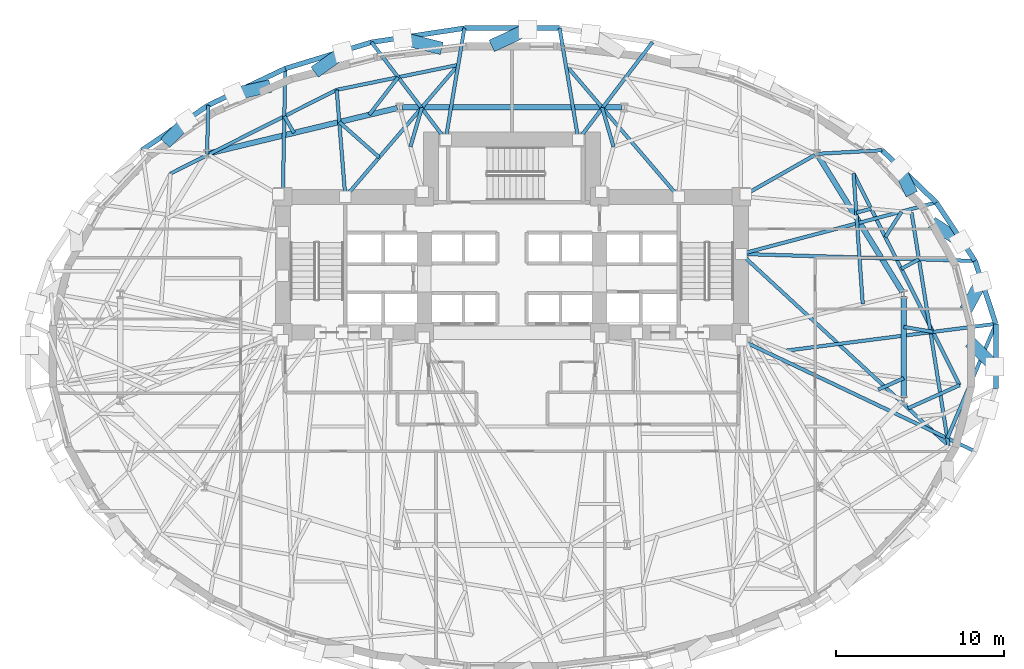
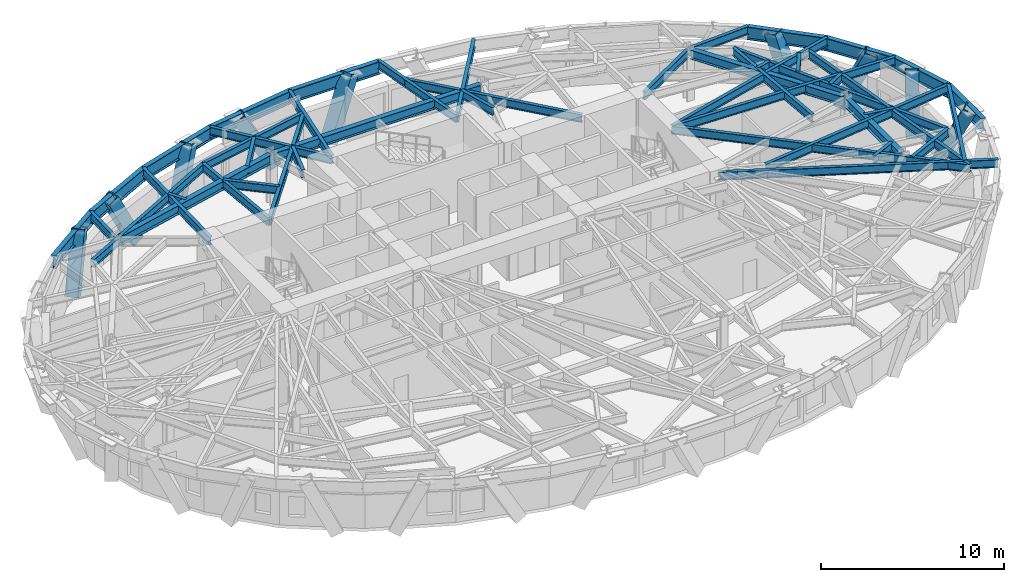
# One storey, part 4 of 14: 46 beams, 9 members.
"""IFC4 building model written with IfcOpenShell, lengths in metres."""

from ifc_helpers import new_model, si_unit, direction, frame, origin, origin_2d, place, context, subcontext, project, spatial, hollow_rectangle, i_section, extrude, material, material_profile, profile_set, type_object, element, save


model = new_model("IFC4")

# Units and contexts
model_context = context("Model", 3, precision=1e-05, world=origin(), true_north=direction((0.0, 1.0)))
body_context = subcontext(model_context, "Body", "Model", "MODEL_VIEW")
ifc_project = project(units=[si_unit("LENGTHUNIT", "METRE"), si_unit("AREAUNIT", "SQUARE_METRE"), si_unit("VOLUMEUNIT", "CUBIC_METRE"), si_unit("PLANEANGLEUNIT", "RADIAN"), si_unit("MASSUNIT", "GRAM", prefix="KILO")], contexts=[model_context])

# Site, building, storey
site_placement = place(None, origin())
site = spatial("IfcSite", under=ifc_project, at=site_placement, CompositionType="ELEMENT")
building_placement = place(site_placement, origin())
building = spatial("IfcBuilding", under=site, at=building_placement, Name="Keldmark Tower", CompositionType="ELEMENT")
storey_placement = place(building_placement, frame((0.0, 0.0, 52.199951171875)))
storey = spatial("IfcBuildingStorey", under=building, at=storey_placement, Name="L13", CompositionType="ELEMENT", Elevation=52.199951171875)

# Members
ifc_material_1 = material(Name="Steel ASTM A572 Grade 50", Category="steel")
ifc_material_profile_1 = material_profile(ifc_material_1, hollow_rectangle(XDim=0.75, YDim=0.75, WallThickness=0.06494140625, at=origin_2d()), Name="BOX750X750X65")
ifc_profile_set_1 = profile_set([ifc_material_profile_1], Name="Steel ASTM A572 Grade 50")
member_type = type_object("IfcMemberType", Name="Diagrid Lower Brace BOX750X750X65", PredefinedType="BRACE", material=ifc_profile_set_1)
member_1_placement = place(storey_placement, frame((27.096923828125, 3.034423828125, -0.280029296875), z_axis=(0.189536381637, 0.351789582634, 0.916689723727), x_axis=(-0.880354888645, 0.474315580641, 0.0)))
element("IfcMember", 1, at=member_1_placement, inside=storey, type_object=member_type, Name="L13 Perimeter Diagrid Brace 01A", PredefinedType="BRACE", context=body_context, shape_type="SweptSolid", body=[
    extrude(hollow_rectangle(XDim=0.75, YDim=0.75, WallThickness=0.06494140625, at=origin_2d()), origin(), (0.0, 0.0, 1.0), 3.883544921875),
])
member_2_placement = place(storey_placement, frame((25.1943359375, 7.742919921875, -0.280029296875), z_axis=(0.368803550198, -0.240101025584, 0.897961824843), x_axis=(0.545593185279, 0.838050163282, 0.0)))
element("IfcMember", 2, at=member_2_placement, inside=storey, type_object=member_type, Name="L13 Perimeter Diagrid Brace 01B", PredefinedType="BRACE", context=body_context, shape_type="SweptSolid", body=[
    extrude(hollow_rectangle(XDim=0.75, YDim=0.75, WallThickness=0.06494140625, at=origin_2d()), origin(), (0.0, 0.0, 1.0), 3.964599609375),
])
member_3_placement = place(storey_placement, frame((23.576904296875, 9.93115234375, -0.280029296875), z_axis=(-0.155865611228, 0.322105186721, 0.933784857408), x_axis=(-0.900150197783, -0.43557963845, 0.0)))
element("IfcMember", 3, at=member_3_placement, inside=storey, type_object=member_type, Name="L13 Perimeter Diagrid Brace 02A", PredefinedType="BRACE", context=body_context, shape_type="SweptSolid", body=[
    extrude(hollow_rectangle(XDim=0.75, YDim=0.75, WallThickness=0.06494140625, at=origin_2d()), origin(), (0.0, 0.0, 1.0), 3.8125),
])
member_4_placement = place(storey_placement, frame((-0.90771484375, 18.551513671875, -0.280029296875), z_axis=(0.449940168871, 0.208264827339, 0.868435147913), x_axis=(-0.420055790164, 0.907498282725, 0.0)))
element("IfcMember", 4, at=member_4_placement, inside=storey, type_object=member_type, Name="L13 Perimeter Diagrid Brace 04B", PredefinedType="BRACE", context=body_context, shape_type="SweptSolid", body=[
    extrude(hollow_rectangle(XDim=0.75, YDim=0.75, WallThickness=0.06494140625, at=origin_2d()), origin(), (0.0, 0.0, 1.0), 4.099365234375),
])
member_5_placement = place(storey_placement, frame((-4.48095703125, 18.342041015625, -0.280029296875), z_axis=(-0.488550098235, 0.122922451054, 0.863833822295), x_axis=(-0.244001779634, -0.969774783924, 0.0)))
element("IfcMember", 5, at=member_5_placement, inside=storey, type_object=member_type, Name="L13 Perimeter Diagrid Brace 05A", PredefinedType="BRACE", context=body_context, shape_type="SweptSolid", body=[
    extrude(hollow_rectangle(XDim=0.75, YDim=0.75, WallThickness=0.06494140625, at=origin_2d()), origin(), (0.0, 0.0, 1.0), 4.121337890625),
])
member_6_placement = place(storey_placement, frame((-11.43505859375, 17.053466796875, -0.280029296875), z_axis=(0.356080423896, 0.25235989148, 0.899733970066), x_axis=(-0.578225217347, 0.815877195431, 0.0)))
element("IfcMember", 6, at=member_6_placement, inside=storey, type_object=member_type, Name="L13 Perimeter Diagrid Brace 05B", PredefinedType="BRACE", context=body_context, shape_type="SweptSolid", body=[
    extrude(hollow_rectangle(XDim=0.75, YDim=0.75, WallThickness=0.06494140625, at=origin_2d()), origin(), (0.0, 0.0, 1.0), 3.956787109375),
])
member_7_placement = place(storey_placement, frame((-14.66943359375, 15.958984375, -0.280029296875), z_axis=(-0.450082978255, -0.09878088894, 0.88750642176), x_axis=(0.214370413449, -0.976752438358, 0.0)))
element("IfcMember", 7, at=member_7_placement, inside=storey, type_object=member_type, Name="L13 Perimeter Diagrid Brace 06A", PredefinedType="BRACE", context=body_context, shape_type="SweptSolid", body=[
    extrude(hollow_rectangle(XDim=0.75, YDim=0.75, WallThickness=0.06494140625, at=origin_2d()), origin(), (0.0, 0.0, 1.0), 4.01123046875),
])
member_8_placement = place(storey_placement, frame((-20.339111328125, 12.8837890625, -0.280029296875), z_axis=(0.269028595419, 0.277125388321, 0.92240182892), x_axis=(-0.717510872688, 0.696547304621, 0.0)))
element("IfcMember", 8, at=member_8_placement, inside=storey, type_object=member_type, Name="L13 Perimeter Diagrid Brace 06B", PredefinedType="BRACE", context=body_context, shape_type="SweptSolid", body=[
    extrude(hollow_rectangle(XDim=0.75, YDim=0.75, WallThickness=0.06494140625, at=origin_2d()), origin(), (0.0, 0.0, 1.0), 3.859619140625),
])
member_9_placement = place(storey_placement, frame((27.40625, 0.616943359375, -0.280029296875), z_axis=(0.313927773209, -0.314542113274, 0.895830682766), x_axis=(0.707797651997, 0.706415234708, 0.0)))
element("IfcMember", 9, at=member_9_placement, inside=storey, type_object=member_type, Name="L13 Perimeter Diagrid Brace 16B", PredefinedType="BRACE", context=body_context, shape_type="SweptSolid", body=[
    extrude(hollow_rectangle(XDim=0.75, YDim=0.75, WallThickness=0.06494140625, at=origin_2d()), origin(), (0.0, 0.0, 1.0), 3.97412109375),
])

# Beams
ifc_material_2 = material(Name="Steel ASTM A992 Grade 50", Category="steel")
ifc_material_profile_2 = material_profile(ifc_material_2, i_section(OverallWidth=0.323974609375, OverallDepth=0.611083984375, WebThickness=0.0126953125, FlangeThickness=0.01904296875, at=origin_2d()), Name="W24X104")
ifc_profile_set_2 = profile_set([ifc_material_profile_2], Name="Steel ASTM A992 Grade 50")
beam_type_1 = type_object("IfcBeamType", Name="Primary Floor Girder W24X104", PredefinedType="BEAM", material=ifc_profile_set_2)
beam_1_placement = place(storey_placement, frame((23.180419921875, 3.796142578125, 3.094482421875), z_axis=(-0.526318405849, 0.850287560573, 0.0), x_axis=(-0.850287560573, -0.526318405849, 0.0)))
element("IfcBeam", 10, at=beam_1_placement, inside=storey, type_object=beam_type_1, Name="L13 Floor Ring Girder FG-R01", PredefinedType="BEAM", context=body_context, shape_type="SweptSolid", body=[
    extrude(i_section(OverallWidth=0.323974609375, OverallDepth=0.611083984375, WebThickness=0.0126953125, FlangeThickness=0.01904296875, at=origin_2d()), origin(), (0.0, 0.0, 1.0), 9.51708984375),
])
beam_2_placement = place(storey_placement, frame((6.525146484375, 14.760009765625, 3.094482421875), z_axis=(-1.0, 0.0, 0.0), x_axis=(0.0, -1.0, 0.0)))
element("IfcBeam", 11, at=beam_2_placement, inside=storey, type_object=beam_type_1, Name="L13 Floor Ring Girder FG-R03", PredefinedType="BEAM", context=body_context, shape_type="SweptSolid", body=[
    extrude(i_section(OverallWidth=0.323974609375, OverallDepth=0.611083984375, WebThickness=0.0126953125, FlangeThickness=0.01904296875, at=origin_2d()), origin(), (0.0, 0.0, 1.0), 13.05029296875),
])
beam_3_placement = place(storey_placement, frame((-6.80126953125, 14.727294921875, 3.094482421875), z_axis=(-0.972218707757, -0.2340743136, 0.0), x_axis=(0.2340743136, -0.972218707757, 0.0)))
element("IfcBeam", 12, at=beam_3_placement, inside=storey, type_object=beam_type_1, Name="L13 Floor Ring Girder FG-R04", PredefinedType="BEAM", context=body_context, shape_type="SweptSolid", body=[
    extrude(i_section(OverallWidth=0.323974609375, OverallDepth=0.611083984375, WebThickness=0.0126953125, FlangeThickness=0.01904296875, at=origin_2d()), origin(), (0.0, 0.0, 1.0), 11.479248046875),
])
beam_4_placement = place(storey_placement, frame((23.25390625, -2.47314453125, 3.094482421875), z_axis=(0.0, 1.0, 0.0), x_axis=(-1.0, 0.0, 0.0)))
element("IfcBeam", 13, at=beam_4_placement, inside=storey, type_object=beam_type_1, Name="L13 Floor Ring Girder FG-R12", PredefinedType="BEAM", context=body_context, shape_type="SweptSolid", body=[
    extrude(i_section(OverallWidth=0.323974609375, OverallDepth=0.611083984375, WebThickness=0.0126953125, FlangeThickness=0.01904296875, at=origin_2d()), origin(), (0.0, 0.0, 1.0), 6.01025390625),
])
ifc_material_3 = material(Name="Steel ASTM A992 Grade 50", Category="steel")
ifc_material_profile_3 = material_profile(ifc_material_3, i_section(OverallWidth=0.2099609375, OverallDepth=0.537109375, WebThickness=0.010986328125, FlangeThickness=0.017333984375, at=origin_2d()), Name="W21X68")
ifc_profile_set_3 = profile_set([ifc_material_profile_3], Name="Steel ASTM A992 Grade 50")
beam_type_2 = type_object("IfcBeamType", Name="Radial Tie Girder W21X68", PredefinedType="BEAM", material=ifc_profile_set_3)
beam_5_placement = place(storey_placement, frame((20.816162109375, 3.102294921875, 3.131591796875), z_axis=(-0.07045434177, 0.997515005263, 0.0), x_axis=(-0.997515005263, -0.07045434177, 0.0)))
element("IfcBeam", 14, at=beam_5_placement, inside=storey, type_object=beam_type_2, Name="L13 Sub-Ring Step Girder STP1-M01", PredefinedType="BEAM", context=body_context, shape_type="SweptSolid", body=[
    extrude(i_section(OverallWidth=0.2099609375, OverallDepth=0.537109375, WebThickness=0.010986328125, FlangeThickness=0.017333984375, at=origin_2d()), origin(), (0.0, 0.0, 1.0), 7.748291015625),
])
beam_6_placement = place(storey_placement, frame((6.023681640625, 12.43505859375, 3.131591796875), z_axis=(-0.279113171894, 0.960258213855, 0.0), x_axis=(-0.960258213855, -0.279113171894, 0.0)))
element("IfcBeam", 15, at=beam_6_placement, inside=storey, type_object=beam_type_2, Name="L13 Framing Pin Header PH-003", PredefinedType="BEAM", context=body_context, shape_type="SweptSolid", body=[
    extrude(i_section(OverallWidth=0.2099609375, OverallDepth=0.537109375, WebThickness=0.010986328125, FlangeThickness=0.017333984375, at=origin_2d()), origin(), (0.0, 0.0, 1.0), 2.421142578125),
])
beam_7_placement = place(storey_placement, frame((9.892822265625, 9.449951171875, 3.131591796875), z_axis=(-0.65025521973, 0.759715834516, 0.0), x_axis=(-0.759715834516, -0.65025521973, 0.0)))
element("IfcBeam", 16, at=beam_7_placement, inside=storey, type_object=beam_type_2, Name="L13 Sub-Ring Step Girder STP1-M03", PredefinedType="BEAM", context=body_context, shape_type="SweptSolid", body=[
    extrude(i_section(OverallWidth=0.2099609375, OverallDepth=0.537109375, WebThickness=0.010986328125, FlangeThickness=0.017333984375, at=origin_2d()), origin(), (0.0, 0.0, 1.0), 10.315673828125),
])
beam_8_placement = place(storey_placement, frame((-6.023681640625, 12.43505859375, 3.131591796875), z_axis=(0.279113171894, 0.960258213855, 0.0), x_axis=(-0.960258213855, 0.279113171894, 0.0)))
element("IfcBeam", 17, at=beam_8_placement, inside=storey, type_object=beam_type_2, Name="L13 Framing Pin Header PH-004", PredefinedType="BEAM", context=body_context, shape_type="SweptSolid", body=[
    extrude(i_section(OverallWidth=0.2099609375, OverallDepth=0.537109375, WebThickness=0.010986328125, FlangeThickness=0.017333984375, at=origin_2d()), origin(), (0.0, 0.0, 1.0), 2.421142578125),
])
beam_9_placement = place(storey_placement, frame((-9.892822265625, 9.449951171875, 3.131591796875), z_axis=(0.65025521973, 0.759715834516, 0.0), x_axis=(-0.759715834516, 0.65025521973, 0.0)))
element("IfcBeam", 18, at=beam_9_placement, inside=storey, type_object=beam_type_2, Name="L13 Sub-Ring Step Girder STP1-M04", PredefinedType="BEAM", context=body_context, shape_type="SweptSolid", body=[
    extrude(i_section(OverallWidth=0.2099609375, OverallDepth=0.537109375, WebThickness=0.010986328125, FlangeThickness=0.017333984375, at=origin_2d()), origin(), (0.0, 0.0, 1.0), 10.315673828125),
])
beam_10_placement = place(storey_placement, frame((-7.880615234375, 11.801025390625, 3.131591796875), z_axis=(-0.749109972148, 0.662445657868, 0.0), x_axis=(-0.662445657868, -0.749109972148, 0.0)))
element("IfcBeam", 19, at=beam_10_placement, inside=storey, type_object=beam_type_2, Name="L13 Framing Pin Header PH-005", PredefinedType="BEAM", context=body_context, shape_type="SweptSolid", body=[
    extrude(i_section(OverallWidth=0.2099609375, OverallDepth=0.537109375, WebThickness=0.010986328125, FlangeThickness=0.017333984375, at=origin_2d()), origin(), (0.0, 0.0, 1.0), 3.16357421875),
])
beam_11_placement = place(storey_placement, frame((-9.892822265625, 9.449951171875, 3.131591796875), z_axis=(-0.080163846241, 0.996781700151, 0.0), x_axis=(-0.996781700151, -0.080163846241, 0.0)))
element("IfcBeam", 20, at=beam_11_placement, inside=storey, type_object=beam_type_2, Name="L13 Sub-Ring Step Girder STP1-M05", PredefinedType="BEAM", context=body_context, shape_type="SweptSolid", body=[
    extrude(i_section(OverallWidth=0.2099609375, OverallDepth=0.537109375, WebThickness=0.010986328125, FlangeThickness=0.017333984375, at=origin_2d()), origin(), (0.0, 0.0, 1.0), 6.374267578125),
])
beam_12_placement = place(storey_placement, frame((21.740234375, -1.98388671875, 3.131591796875), z_axis=(0.912416485742, 0.40926294304, 0.0), x_axis=(-0.40926294304, 0.912416485742, 0.0)))
element("IfcBeam", 21, at=beam_12_placement, inside=storey, type_object=beam_type_2, Name="L13 Framing Pin Header PH-008", PredefinedType="BEAM", context=body_context, shape_type="SweptSolid", body=[
    extrude(i_section(OverallWidth=0.2099609375, OverallDepth=0.537109375, WebThickness=0.010986328125, FlangeThickness=0.017333984375, at=origin_2d()), origin(), (0.0, 0.0, 1.0), 1.658935546875),
])
beam_13_placement = place(storey_placement, frame((-3.18505859375, 17.286865234375, 3.131591796875), z_axis=(-0.97953894466, -0.201254704032, 0.0), x_axis=(0.201254704032, -0.97953894466, 0.0)))
element("IfcBeam", 22, at=beam_13_placement, inside=storey, type_object=beam_type_2, Name="L13 Perimeter Collector Ring Beam CRG1-M04", PredefinedType="BEAM", context=body_context, shape_type="SweptSolid", body=[
    extrude(i_section(OverallWidth=0.2099609375, OverallDepth=0.537109375, WebThickness=0.010986328125, FlangeThickness=0.017333984375, at=origin_2d()), origin(), (0.0, 0.0, 1.0), 7.36962890625),
])
beam_14_placement = place(storey_placement, frame((-10.40380859375, 15.8037109375, 3.131591796875), z_axis=(-0.893004066682, -0.45004859392, 0.0), x_axis=(0.45004859392, -0.893004066682, 0.0)))
element("IfcBeam", 23, at=beam_14_placement, inside=storey, type_object=beam_type_2, Name="L13 Perimeter Collector Ring Beam CRG1-M05", PredefinedType="BEAM", context=body_context, shape_type="SweptSolid", body=[
    extrude(i_section(OverallWidth=0.2099609375, OverallDepth=0.537109375, WebThickness=0.010986328125, FlangeThickness=0.017333984375, at=origin_2d()), origin(), (0.0, 0.0, 1.0), 11.048583984375),
])
beam_15_placement = place(storey_placement, frame((26.56787109375, -1.71875, 3.131591796875), z_axis=(-0.448499776845, 0.893782943544, 0.0), x_axis=(-0.893782943544, -0.448499776845, 0.0)))
element("IfcBeam", 24, at=beam_15_placement, inside=storey, type_object=beam_type_2, Name="L13 Perimeter Collector Ring Beam CRG1-M12", PredefinedType="BEAM", context=body_context, shape_type="SweptSolid", body=[
    extrude(i_section(OverallWidth=0.2099609375, OverallDepth=0.537109375, WebThickness=0.010986328125, FlangeThickness=0.017333984375, at=origin_2d()), origin(), (0.0, 0.0, 1.0), 14.04150390625),
])
beam_16_placement = place(storey_placement, frame((20.43408203125, 8.5126953125, 3.131591796875), z_axis=(0.964874974047, 0.26270950584, 0.0), x_axis=(-0.26270950584, 0.964874974047, 0.0)))
element("IfcBeam", 25, at=beam_16_placement, inside=storey, type_object=beam_type_2, Name="L13 Framing Pin Header PH-009", PredefinedType="BEAM", context=body_context, shape_type="SweptSolid", body=[
    extrude(i_section(OverallWidth=0.2099609375, OverallDepth=0.537109375, WebThickness=0.010986328125, FlangeThickness=0.017333984375, at=origin_2d()), origin(), (0.0, 0.0, 1.0), 0.91162109375),
])
beam_17_placement = place(storey_placement, frame((26.56787109375, -1.71875, 3.131591796875), z_axis=(-0.911931042748, -0.410343482064, 0.0), x_axis=(0.410343482064, -0.911931042748, 0.0)))
element("IfcBeam", 26, at=beam_17_placement, inside=storey, type_object=beam_type_2, Name="L13 Framing Pin Header PH-014", PredefinedType="BEAM", context=body_context, shape_type="SweptSolid", body=[
    extrude(i_section(OverallWidth=0.2099609375, OverallDepth=0.537109375, WebThickness=0.010986328125, FlangeThickness=0.017333984375, at=origin_2d()), origin(), (0.0, 0.0, 1.0), 3.3525390625),
])
beam_18_placement = place(storey_placement, frame((13.60009765625, 6.064208984375, 3.131591796875), z_axis=(0.734408397719, -0.678707820318, 0.0), x_axis=(0.678707820318, 0.734408397719, 0.0)))
element("IfcBeam", 27, at=beam_18_placement, inside=storey, type_object=beam_type_2, Name="L13 Sub-Ring Step Girder STP2-M12", PredefinedType="BEAM", context=body_context, shape_type="SweptSolid", body=[
    extrude(i_section(OverallWidth=0.2099609375, OverallDepth=0.537109375, WebThickness=0.010986328125, FlangeThickness=0.017333984375, at=origin_2d()), origin(), (0.0, 0.0, 1.0), 16.756591796875),
])
beam_19_placement = place(storey_placement, frame((25.90625, -5.30859375, 3.131591796875), z_axis=(-0.156735151888, 0.987640669557, 0.0), x_axis=(-0.987640669557, -0.156735151888, 0.0)))
element("IfcBeam", 28, at=beam_19_placement, inside=storey, type_object=beam_type_2, Name="L13 Perimeter Collector Ring Beam CRG2-M12", PredefinedType="BEAM", context=body_context, shape_type="SweptSolid", body=[
    extrude(i_section(OverallWidth=0.2099609375, OverallDepth=0.537109375, WebThickness=0.010986328125, FlangeThickness=0.017333984375, at=origin_2d()), origin(), (0.0, 0.0, 1.0), 14.00341796875),
])
beam_20_placement = place(storey_placement, frame((23.25390625, 1.734130859375, 3.131591796875), z_axis=(0.985850555394, -0.167626616113, 0.0), x_axis=(0.167626616113, 0.985850555394, 0.0)))
element("IfcBeam", 29, at=beam_20_placement, inside=storey, type_object=beam_type_2, Name="L13 Framing Pin Header PH-015", PredefinedType="BEAM", context=body_context, shape_type="SweptSolid", body=[
    extrude(i_section(OverallWidth=0.2099609375, OverallDepth=0.537109375, WebThickness=0.010986328125, FlangeThickness=0.017333984375, at=origin_2d()), origin(), (0.0, 0.0, 1.0), 1.753662109375),
])
beam_21_placement = place(storey_placement, frame((16.202880859375, 0.318115234375, 3.131591796875), z_axis=(0.991932232353, 0.126769264493, 0.0), x_axis=(-0.126769264493, 0.991932232353, 0.0)))
element("IfcBeam", 30, at=beam_21_placement, inside=storey, type_object=beam_type_2, Name="L13 Perimeter Radial Tie Girder RT-01", PredefinedType="BEAM", context=body_context, shape_type="SweptSolid", body=[
    extrude(i_section(OverallWidth=0.2099609375, OverallDepth=0.537109375, WebThickness=0.010986328125, FlangeThickness=0.017333984375, at=origin_2d()), origin(), (0.0, 0.0, 1.0), 12.612548828125),
])
beam_22_placement = place(storey_placement, frame((23.104248046875, 5.183837890625, 3.131591796875), z_axis=(0.879481538444, 0.475933003201, 0.0), x_axis=(-0.475933003201, 0.879481538444, 0.0)))
element("IfcBeam", 31, at=beam_22_placement, inside=storey, type_object=beam_type_2, Name="L13 Framing Pin Header PH-016", PredefinedType="BEAM", context=body_context, shape_type="SweptSolid", body=[
    extrude(i_section(OverallWidth=0.2099609375, OverallDepth=0.537109375, WebThickness=0.010986328125, FlangeThickness=0.017333984375, at=origin_2d()), origin(), (0.0, 0.0, 1.0), 1.190673828125),
])
beam_23_placement = place(storey_placement, frame((13.60009765625, 6.064208984375, 3.131591796875), z_axis=(0.99955808344, -0.029726046308, 0.0), x_axis=(0.029726046308, 0.99955808344, 0.0)))
element("IfcBeam", 32, at=beam_23_placement, inside=storey, type_object=beam_type_2, Name="L13 Perimeter Radial Tie Girder RT-02", PredefinedType="BEAM", context=body_context, shape_type="SweptSolid", body=[
    extrude(i_section(OverallWidth=0.2099609375, OverallDepth=0.537109375, WebThickness=0.010986328125, FlangeThickness=0.017333984375, at=origin_2d()), origin(), (0.0, 0.0, 1.0), 13.88818359375),
])
beam_24_placement = place(storey_placement, frame((22.159423828125, 7.06640625, 3.131591796875), z_axis=(0.535356995323, 0.844625886152, 0.0), x_axis=(-0.844625886152, 0.535356995323, 0.0)))
element("IfcBeam", 33, at=beam_24_placement, inside=storey, type_object=beam_type_2, Name="L13 Framing Pin Header PH-017", PredefinedType="BEAM", context=body_context, shape_type="SweptSolid", body=[
    extrude(i_section(OverallWidth=0.2099609375, OverallDepth=0.537109375, WebThickness=0.010986328125, FlangeThickness=0.017333984375, at=origin_2d()), origin(), (0.0, 0.0, 1.0), 1.790283203125),
])
beam_25_placement = place(storey_placement, frame((13.60009765625, 6.064208984375, 3.131591796875), z_axis=(0.966827942638, 0.25542852099, 0.0), x_axis=(-0.25542852099, 0.966827942638, 0.0)))
element("IfcBeam", 34, at=beam_25_placement, inside=storey, type_object=beam_type_2, Name="L13 Perimeter Radial Tie Girder RT-03", PredefinedType="BEAM", context=body_context, shape_type="SweptSolid", body=[
    extrude(i_section(OverallWidth=0.2099609375, OverallDepth=0.537109375, WebThickness=0.010986328125, FlangeThickness=0.017333984375, at=origin_2d()), origin(), (0.0, 0.0, 1.0), 11.974365234375),
])
beam_26_placement = place(storey_placement, frame((18.09765625, 12.00732421875, 3.131591796875), z_axis=(0.998494878252, 0.054845037192, 0.0), x_axis=(-0.054845037192, 0.998494878252, 0.0)))
element("IfcBeam", 35, at=beam_26_placement, inside=storey, type_object=beam_type_2, Name="L13 Perimeter Column Bracket RT-04", PredefinedType="BEAM", context=body_context, shape_type="SweptSolid", body=[
    extrude(i_section(OverallWidth=0.2099609375, OverallDepth=0.537109375, WebThickness=0.010986328125, FlangeThickness=0.017333984375, at=origin_2d()), origin(), (0.0, 0.0, 1.0), 3.872802734375),
])
beam_27_placement = place(storey_placement, frame((3.9375, 12.85009765625, 3.131591796875), z_axis=(0.605637055312, 0.795741011406, 0.0), x_axis=(-0.795741011406, 0.605637055312, 0.0)))
element("IfcBeam", 36, at=beam_27_placement, inside=storey, type_object=beam_type_2, Name="L13 Perimeter Radial Tie Girder RT-07", PredefinedType="BEAM", context=body_context, shape_type="SweptSolid", body=[
    extrude(i_section(OverallWidth=0.2099609375, OverallDepth=0.537109375, WebThickness=0.010986328125, FlangeThickness=0.017333984375, at=origin_2d()), origin(), (0.0, 0.0, 1.0), 7.263671875),
])
for number, where, z_axis, x_axis, name in (
    (37, (3.9375, 12.85009765625, 3.131591796875), (-0.16543777036, 0.986220231053, 0.0), (-0.986220231053, -0.16543777036, 0.0), "L13 Perimeter Radial Tie Girder RT-08"),
    (38, (-3.9375, 12.85009765625, 3.131591796875), (0.16543777036, 0.986220231053, 0.0), (-0.986220231053, 0.16543777036, 0.0), "L13 Perimeter Radial Tie Girder RT-09"),
):
    element("IfcBeam", number, at=place(storey_placement, frame(where, z_axis=z_axis, x_axis=x_axis)), inside=storey, type_object=beam_type_2, Name=name, PredefinedType="BEAM", context=body_context, shape_type="SweptSolid", body=[
        extrude(i_section(OverallWidth=0.2099609375, OverallDepth=0.537109375, WebThickness=0.010986328125, FlangeThickness=0.017333984375, at=origin_2d()), origin(), (0.0, 0.0, 1.0), 6.707275390625),
    ])
beam_28_placement = place(storey_placement, frame((-8.475341796875, 14.32421875, 3.131591796875), z_axis=(0.61079568729, 0.79178824719, 0.0), x_axis=(-0.79178824719, 0.61079568729, 0.0)))
element("IfcBeam", 39, at=beam_28_placement, inside=storey, type_object=beam_type_2, Name="L13 Framing Pin Header PH-020", PredefinedType="BEAM", context=body_context, shape_type="SweptSolid", body=[
    extrude(i_section(OverallWidth=0.2099609375, OverallDepth=0.537109375, WebThickness=0.010986328125, FlangeThickness=0.017333984375, at=origin_2d()), origin(), (0.0, 0.0, 1.0), 2.815185546875),
])
beam_29_placement = place(storey_placement, frame((-3.9375, 12.85009765625, 3.131591796875), z_axis=(-0.605637055312, 0.795741011406, 0.0), x_axis=(-0.795741011406, -0.605637055312, 0.0)))
element("IfcBeam", 40, at=beam_29_placement, inside=storey, type_object=beam_type_2, Name="L13 Perimeter Radial Tie Girder RT-10", PredefinedType="BEAM", context=body_context, shape_type="SweptSolid", body=[
    extrude(i_section(OverallWidth=0.2099609375, OverallDepth=0.537109375, WebThickness=0.010986328125, FlangeThickness=0.017333984375, at=origin_2d()), origin(), (0.0, 0.0, 1.0), 7.263671875),
])
beam_30_placement = place(storey_placement, frame((-12.939453125, 13.249267578125, 3.131591796875), z_axis=(-0.500024700597, 0.866011142419, 0.0), x_axis=(-0.866011142419, -0.500024700597, 0.0)))
element("IfcBeam", 41, at=beam_30_placement, inside=storey, type_object=beam_type_2, Name="L13 Framing Pin Header PH-021", PredefinedType="BEAM", context=body_context, shape_type="SweptSolid", body=[
    extrude(i_section(OverallWidth=0.2099609375, OverallDepth=0.537109375, WebThickness=0.010986328125, FlangeThickness=0.017333984375, at=origin_2d()), origin(), (0.0, 0.0, 1.0), 1.14208984375),
])
beam_31_placement = place(storey_placement, frame((-13.60009765625, 9.449951171875, 3.131591796875), z_axis=(0.018713471393, 0.999824887662, 0.0), x_axis=(-0.999824887662, 0.018713471393, 0.0)))
element("IfcBeam", 42, at=beam_31_placement, inside=storey, type_object=beam_type_2, Name="L13 Perimeter Radial Tie Girder RT-11", PredefinedType="BEAM", context=body_context, shape_type="SweptSolid", body=[
    extrude(i_section(OverallWidth=0.2099609375, OverallDepth=0.537109375, WebThickness=0.010986328125, FlangeThickness=0.017333984375, at=origin_2d()), origin(), (0.0, 0.0, 1.0), 7.618896484375),
])
beam_32_placement = place(storey_placement, frame((-18.09765625, 12.00732421875, 3.131591796875), z_axis=(0.024892766779, 0.99969012707, 0.0), x_axis=(-0.99969012707, 0.024892766779, 0.0)))
element("IfcBeam", 43, at=beam_32_placement, inside=storey, type_object=beam_type_2, Name="L13 Perimeter Column Bracket RT-12", PredefinedType="BEAM", context=body_context, shape_type="SweptSolid", body=[
    extrude(i_section(OverallWidth=0.2099609375, OverallDepth=0.537109375, WebThickness=0.010986328125, FlangeThickness=0.017333984375, at=origin_2d()), origin(), (0.0, 0.0, 1.0), 2.883544921875),
])
beam_33_placement = place(storey_placement, frame((28.713623046875, 1.9169921875, 3.131591796875), z_axis=(-0.390358444855, -0.920662959248, 0.0), x_axis=(0.920662959248, -0.390358444855, 0.0)))
element("IfcBeam", 44, at=beam_33_placement, inside=storey, type_object=beam_type_2, Name="L13 Framing Pin Header PH-043", PredefinedType="BEAM", context=body_context, shape_type="SweptSolid", body=[
    extrude(i_section(OverallWidth=0.2099609375, OverallDepth=0.537109375, WebThickness=0.010986328125, FlangeThickness=0.017333984375, at=origin_2d()), origin(), (0.0, 0.0, 1.0), 7.37060546875),
])
beam_34_placement = place(storey_placement, frame((13.60009765625, 0.949951171875, 3.131591796875), z_axis=(0.90309260573, -0.429445858608, 0.0), x_axis=(0.429445858608, 0.90309260573, 0.0)))
element("IfcBeam", 45, at=beam_34_placement, inside=storey, type_object=beam_type_2, Name="L13 Perimeter Radial Tie Girder RT-31", PredefinedType="BEAM", context=body_context, shape_type="SweptSolid", body=[
    extrude(i_section(OverallWidth=0.2099609375, OverallDepth=0.537109375, WebThickness=0.010986328125, FlangeThickness=0.017333984375, at=origin_2d()), origin(), (0.0, 0.0, 1.0), 15.371826171875),
])
ifc_material_4 = material(Name="Steel ASTM A992 Grade 50", Category="steel")
ifc_material_profile_4 = material_profile(ifc_material_4, i_section(OverallWidth=0.214111328125, OverallDepth=0.549072265625, WebThickness=0.0146484375, FlangeThickness=0.023681640625, at=origin_2d()), Name="W21X93")
ifc_profile_set_4 = profile_set([ifc_material_profile_4], Name="Steel ASTM A992 Grade 50")
beam_type_3 = type_object("IfcBeamType", Name="Radial Tie Girder W21X93", PredefinedType="BEAM", material=ifc_profile_set_4)
beam_35_placement = place(storey_placement, frame((17.97607421875, 11.938232421875, 3.12548828125), z_axis=(-0.869299282131, -0.494286109542, 0.0), x_axis=(0.494286109542, -0.869299282131, 0.0)))
element("IfcBeam", 46, at=beam_35_placement, inside=storey, type_object=beam_type_3, Name="L13 Floor Radial Girder FG-C02", PredefinedType="BEAM", context=body_context, shape_type="SweptSolid", body=[
    extrude(i_section(OverallWidth=0.214111328125, OverallDepth=0.549072265625, WebThickness=0.0146484375, FlangeThickness=0.023681640625, at=origin_2d()), origin(), (0.0, 0.0, 1.0), 4.714111328125),
])
ifc_material_5 = material(Name="Steel ASTM A992 Grade 50", Category="steel")
ifc_material_profile_5 = material_profile(ifc_material_5, i_section(OverallWidth=0.2919921875, OverallDepth=0.85888671875, WebThickness=0.01708984375, FlangeThickness=0.031005859375, at=origin_2d()), Name="W33X169")
ifc_profile_set_5 = profile_set([ifc_material_profile_5], Name="Steel ASTM A992 Grade 50")
beam_type_4 = type_object("IfcBeamType", Name="Spandrel Ring Beam W33X169", PredefinedType="SPANDREL", material=ifc_profile_set_5)
beam_36_placement = place(storey_placement, frame((28.713623046875, 1.9169921875, 2.970458984375), z_axis=(-0.31317140165, 0.949696621658, 0.0), x_axis=(-0.949696621658, -0.31317140165, 0.0)))
element("IfcBeam", 47, at=beam_36_placement, inside=storey, type_object=beam_type_4, Name="L13 Perimeter Spandrel Ring Beam SRB-01", PredefinedType="SPANDREL", context=body_context, shape_type="SweptSolid", body=[
    extrude(i_section(OverallWidth=0.2919921875, OverallDepth=0.85888671875, WebThickness=0.01708984375, FlangeThickness=0.031005859375, at=origin_2d()), origin(), (0.0, 0.0, 1.0), 3.93212890625),
])
beam_37_placement = place(storey_placement, frame((27.482177734375, 5.6513671875, 2.970458984375), z_axis=(-0.553144350008, 0.833085426625, 0.0), x_axis=(-0.833085426625, -0.553144350008, 0.0)))
element("IfcBeam", 48, at=beam_37_placement, inside=storey, type_object=beam_type_4, Name="L13 Perimeter Spandrel Ring Beam SRB-02", PredefinedType="SPANDREL", context=body_context, shape_type="SweptSolid", body=[
    extrude(i_section(OverallWidth=0.2919921875, OverallDepth=0.85888671875, WebThickness=0.01708984375, FlangeThickness=0.031005859375, at=origin_2d()), origin(), (0.0, 0.0, 1.0), 4.1669921875),
])
beam_38_placement = place(storey_placement, frame((25.17724609375, 9.122802734375, 2.970458984375), z_axis=(-0.719954614269, 0.694021147656, 0.0), x_axis=(-0.694021147656, -0.719954614269, 0.0)))
element("IfcBeam", 49, at=beam_38_placement, inside=storey, type_object=beam_type_4, Name="L13 Perimeter Spandrel Ring Beam SRB-03", PredefinedType="SPANDREL", context=body_context, shape_type="SweptSolid", body=[
    extrude(i_section(OverallWidth=0.2919921875, OverallDepth=0.85888671875, WebThickness=0.01708984375, FlangeThickness=0.031005859375, at=origin_2d()), origin(), (0.0, 0.0, 1.0), 4.46240234375),
])
beam_39_placement = place(storey_placement, frame((2.827880859375, 19.46484375, 2.970458984375), z_axis=(-1.0, 0.0, 0.0), x_axis=(0.0, -1.0, 0.0)))
element("IfcBeam", 50, at=beam_39_placement, inside=storey, type_object=beam_type_4, Name="L13 Perimeter Spandrel Ring Beam SRB-08", PredefinedType="SPANDREL", context=body_context, shape_type="SweptSolid", body=[
    extrude(i_section(OverallWidth=0.2919921875, OverallDepth=0.85888671875, WebThickness=0.01708984375, FlangeThickness=0.031005859375, at=origin_2d()), origin(), (0.0, 0.0, 1.0), 5.65576171875),
])
beam_40_placement = place(storey_placement, frame((-2.827880859375, 19.46484375, 2.970458984375), z_axis=(-0.988714127489, -0.149814465604, 0.0), x_axis=(0.149814465604, -0.988714127489, 0.0)))
element("IfcBeam", 51, at=beam_40_placement, inside=storey, type_object=beam_type_4, Name="L13 Perimeter Spandrel Ring Beam SRB-09", PredefinedType="SPANDREL", context=body_context, shape_type="SweptSolid", body=[
    extrude(i_section(OverallWidth=0.2919921875, OverallDepth=0.85888671875, WebThickness=0.01708984375, FlangeThickness=0.031005859375, at=origin_2d()), origin(), (0.0, 0.0, 1.0), 5.57177734375),
])
beam_41_placement = place(storey_placement, frame((-8.336669921875, 18.630126953125, 2.970458984375), z_axis=(-0.956466543593, -0.291841996615, 0.0), x_axis=(0.291841996615, -0.956466543593, 0.0)))
element("IfcBeam", 52, at=beam_41_placement, inside=storey, type_object=beam_type_4, Name="L13 Perimeter Spandrel Ring Beam SRB-10", PredefinedType="SPANDREL", context=body_context, shape_type="SweptSolid", body=[
    extrude(i_section(OverallWidth=0.2919921875, OverallDepth=0.85888671875, WebThickness=0.01708984375, FlangeThickness=0.031005859375, at=origin_2d()), origin(), (0.0, 0.0, 1.0), 5.35400390625),
])
beam_42_placement = place(storey_placement, frame((-13.45751953125, 17.067626953125, 2.970458984375), z_axis=(-0.902682101727, -0.430308056189, 0.0), x_axis=(0.430308056189, -0.902682101727, 0.0)))
element("IfcBeam", 53, at=beam_42_placement, inside=storey, type_object=beam_type_4, Name="L13 Perimeter Spandrel Ring Beam SRB-11", PredefinedType="SPANDREL", context=body_context, shape_type="SweptSolid", body=[
    extrude(i_section(OverallWidth=0.2919921875, OverallDepth=0.85888671875, WebThickness=0.01708984375, FlangeThickness=0.031005859375, at=origin_2d()), origin(), (0.0, 0.0, 1.0), 5.060791015625),
])
beam_43_placement = place(storey_placement, frame((-18.02587890625, 14.889892578125, 2.970458984375), z_axis=(-0.827723442454, -0.561136260468, 0.0), x_axis=(0.561136260468, -0.827723442454, 0.0)))
element("IfcBeam", 54, at=beam_43_placement, inside=storey, type_object=beam_type_4, Name="L13 Perimeter Spandrel Ring Beam SRB-12", PredefinedType="SPANDREL", context=body_context, shape_type="SweptSolid", body=[
    extrude(i_section(OverallWidth=0.2919921875, OverallDepth=0.85888671875, WebThickness=0.01708984375, FlangeThickness=0.031005859375, at=origin_2d()), origin(), (0.0, 0.0, 1.0), 4.758544921875),
])
beam_44_placement = place(storey_placement, frame((28.713623046875, -1.9169921875, 2.970458984375), z_axis=(0.0, 1.0, 0.0), x_axis=(-1.0, 0.0, 0.0)))
element("IfcBeam", 55, at=beam_44_placement, inside=storey, type_object=beam_type_4, Name="L13 Perimeter Spandrel Ring Beam SRB-32", PredefinedType="SPANDREL", context=body_context, shape_type="SweptSolid", body=[
    extrude(i_section(OverallWidth=0.2919921875, OverallDepth=0.85888671875, WebThickness=0.01708984375, FlangeThickness=0.031005859375, at=origin_2d()), origin(), (0.0, 0.0, 1.0), 3.833984375),
])

save(model, "model.ifc")
